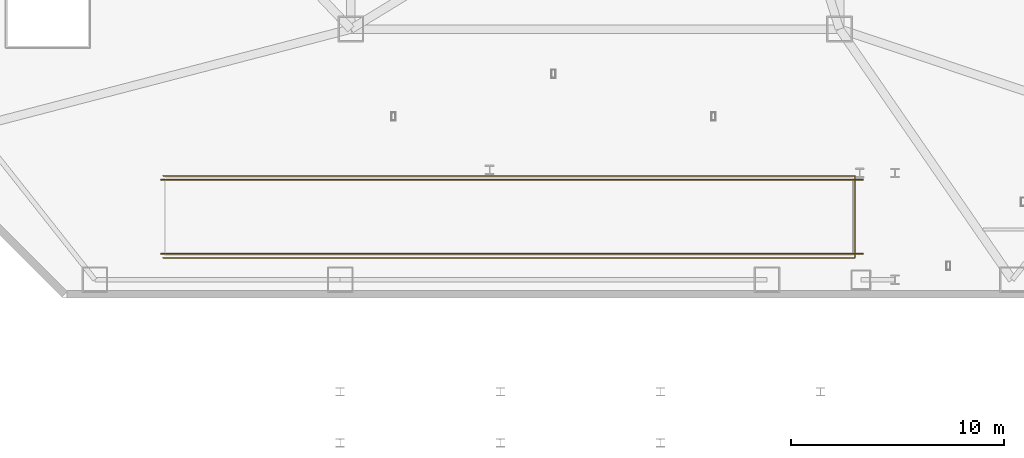
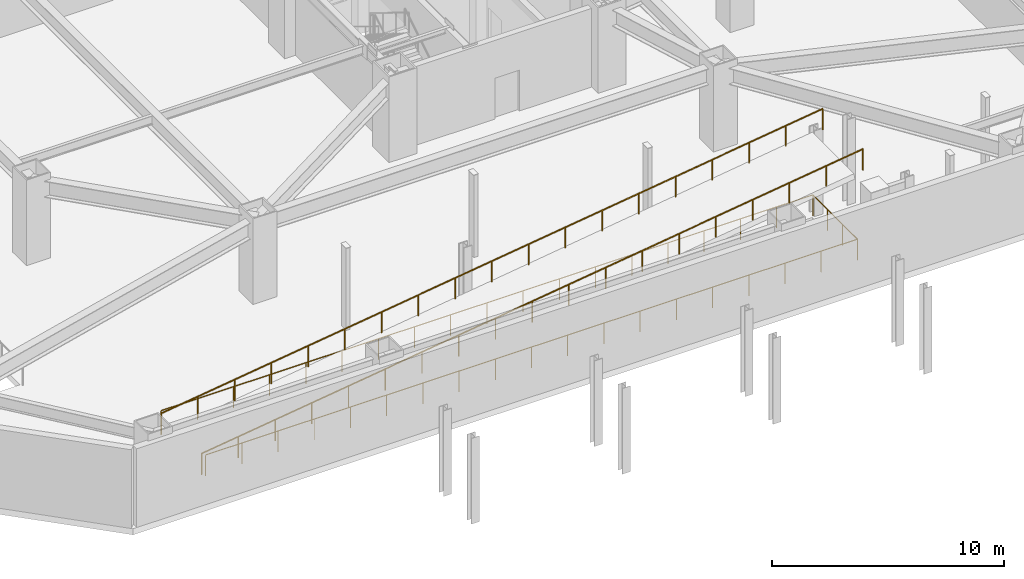
# One storey, part 11 of 14: 3 railings.
"""IFC4 building model written with IfcOpenShell, lengths in metres."""

from ifc_helpers import new_model, si_unit, direction, frame, origin, origin_2d, place, context, subcontext, project, spatial, circle, extrude, material, type_object, element, save


model = new_model("IFC4")

# Units and contexts
model_context = context("Model", 3, precision=1e-05, world=origin(), true_north=direction((0.0, 1.0)))
body_context = subcontext(model_context, "Body", "Model", "MODEL_VIEW")
ifc_project = project(units=[si_unit("LENGTHUNIT", "METRE"), si_unit("AREAUNIT", "SQUARE_METRE"), si_unit("VOLUMEUNIT", "CUBIC_METRE"), si_unit("PLANEANGLEUNIT", "RADIAN"), si_unit("MASSUNIT", "GRAM", prefix="KILO")], contexts=[model_context])

# Site, building, storey
site_placement = place(None, origin())
site = spatial("IfcSite", under=ifc_project, at=site_placement, CompositionType="ELEMENT")
building_placement = place(site_placement, origin())
building = spatial("IfcBuilding", under=site, at=building_placement, Name="Khamvora Tower", CompositionType="ELEMENT")
storey_placement = place(building_placement, frame((0.0, 0.0, -4.5)))
storey = spatial("IfcBuildingStorey", under=building, at=storey_placement, Name="B1", CompositionType="ELEMENT", Elevation=-4.5)

# Railings
ifc_material = material(Name="Stainless Steel 316", Category="steel")
railing_type = type_object("IfcRailingType", Name="RAL-VOID-1120", PredefinedType="GUARDRAIL", material=ifc_material)
railing_1_placement = place(storey_placement, frame((9.60009765625, 2.06005859375, 0.0)))
element("IfcRailing", 1, at=railing_1_placement, inside=storey, type_object=railing_type, Name="B1 grade exit vehicle ramp safety guardrail 1", PredefinedType="GUARDRAIL", context=body_context, shape_type="SweptSolid", body=[
    extrude(circle(Radius=0.02392578125, at=origin_2d()), frame((0.0, 0.0, 1.09619140625), z_axis=(0.990775055807, 0.0, 0.13551674727), x_axis=(0.0, 1.0, 0.0)), (0.0, 0.0, 1.0), 33.206298828125),
    extrude(circle(Radius=0.02099609375, at=origin_2d()), origin(), (0.0, 0.0, 1.0), 1.072021484375),
    extrude(circle(Radius=0.02099609375, at=origin_2d()), frame((1.827880859375, 0.0, 0.25)), (0.0, 0.0, 1.0), 1.072021484375),
    extrude(circle(Radius=0.02099609375, at=origin_2d()), frame((3.655517578125, 0.0, 0.5)), (0.0, 0.0, 1.0), 1.072021484375),
    extrude(circle(Radius=0.02099609375, at=origin_2d()), frame((5.4833984375, 0.0, 0.75)), (0.0, 0.0, 1.0), 1.072021484375),
    extrude(circle(Radius=0.02099609375, at=origin_2d()), frame((7.31103515625, 0.0, 1.0)), (0.0, 0.0, 1.0), 1.072021484375),
    extrude(circle(Radius=0.02099609375, at=origin_2d()), frame((9.138916015625, 0.0, 1.25)), (0.0, 0.0, 1.0), 1.072021484375),
    extrude(circle(Radius=0.02099609375, at=origin_2d()), frame((10.966552734375, 0.0, 1.5)), (0.0, 0.0, 1.0), 1.072021484375),
    extrude(circle(Radius=0.02099609375, at=origin_2d()), frame((12.79443359375, 0.0, 1.75)), (0.0, 0.0, 1.0), 1.072021484375),
    extrude(circle(Radius=0.02099609375, at=origin_2d()), frame((14.6220703125, 0.0, 2.0)), (0.0, 0.0, 1.0), 1.072021484375),
    extrude(circle(Radius=0.02099609375, at=origin_2d()), frame((16.449951171875, 0.0, 2.25)), (0.0, 0.0, 1.0), 1.072021484375),
    extrude(circle(Radius=0.02099609375, at=origin_2d()), frame((18.27783203125, 0.0, 2.5)), (0.0, 0.0, 1.0), 1.072021484375),
    extrude(circle(Radius=0.02099609375, at=origin_2d()), frame((20.10546875, 0.0, 2.75)), (0.0, 0.0, 1.0), 1.072021484375),
    extrude(circle(Radius=0.02099609375, at=origin_2d()), frame((21.933349609375, 0.0, 3.0)), (0.0, 0.0, 1.0), 1.072021484375),
    extrude(circle(Radius=0.02099609375, at=origin_2d()), frame((23.760986328125, 0.0, 3.25)), (0.0, 0.0, 1.0), 1.072021484375),
    extrude(circle(Radius=0.02099609375, at=origin_2d()), frame((25.5888671875, 0.0, 3.5)), (0.0, 0.0, 1.0), 1.072021484375),
    extrude(circle(Radius=0.02099609375, at=origin_2d()), frame((27.41650390625, 0.0, 3.75)), (0.0, 0.0, 1.0), 1.072021484375),
    extrude(circle(Radius=0.02099609375, at=origin_2d()), frame((29.244384765625, 0.0, 4.0)), (0.0, 0.0, 1.0), 1.072021484375),
    extrude(circle(Radius=0.02099609375, at=origin_2d()), frame((31.072021484375, 0.0, 4.25)), (0.0, 0.0, 1.0), 1.072021484375),
    extrude(circle(Radius=0.02099609375, at=origin_2d()), frame((32.89990234375, 0.0, 4.5)), (0.0, 0.0, 1.0), 1.072021484375),
])
railing_2_placement = place(storey_placement, frame((9.60009765625, 5.5400390625, 0.0)))
element("IfcRailing", 2, at=railing_2_placement, inside=storey, type_object=railing_type, Name="B1 grade exit vehicle ramp safety guardrail 2", PredefinedType="GUARDRAIL", context=body_context, shape_type="SweptSolid", body=[
    extrude(circle(Radius=0.02392578125, at=origin_2d()), frame((0.0, 0.0, 1.09619140625), z_axis=(0.990775055807, 0.0, 0.13551674727), x_axis=(0.0, 1.0, 0.0)), (0.0, 0.0, 1.0), 33.206298828125),
    extrude(circle(Radius=0.02099609375, at=origin_2d()), origin(), (0.0, 0.0, 1.0), 1.072021484375),
    extrude(circle(Radius=0.02099609375, at=origin_2d()), frame((1.827880859375, 0.0, 0.25)), (0.0, 0.0, 1.0), 1.072021484375),
    extrude(circle(Radius=0.02099609375, at=origin_2d()), frame((3.655517578125, 0.0, 0.5)), (0.0, 0.0, 1.0), 1.072021484375),
    extrude(circle(Radius=0.02099609375, at=origin_2d()), frame((5.4833984375, 0.0, 0.75)), (0.0, 0.0, 1.0), 1.072021484375),
    extrude(circle(Radius=0.02099609375, at=origin_2d()), frame((7.31103515625, 0.0, 1.0)), (0.0, 0.0, 1.0), 1.072021484375),
    extrude(circle(Radius=0.02099609375, at=origin_2d()), frame((9.138916015625, 0.0, 1.25)), (0.0, 0.0, 1.0), 1.072021484375),
    extrude(circle(Radius=0.02099609375, at=origin_2d()), frame((10.966552734375, 0.0, 1.5)), (0.0, 0.0, 1.0), 1.072021484375),
    extrude(circle(Radius=0.02099609375, at=origin_2d()), frame((12.79443359375, 0.0, 1.75)), (0.0, 0.0, 1.0), 1.072021484375),
    extrude(circle(Radius=0.02099609375, at=origin_2d()), frame((14.6220703125, 0.0, 2.0)), (0.0, 0.0, 1.0), 1.072021484375),
    extrude(circle(Radius=0.02099609375, at=origin_2d()), frame((16.449951171875, 0.0, 2.25)), (0.0, 0.0, 1.0), 1.072021484375),
    extrude(circle(Radius=0.02099609375, at=origin_2d()), frame((18.27783203125, 0.0, 2.5)), (0.0, 0.0, 1.0), 1.072021484375),
    extrude(circle(Radius=0.02099609375, at=origin_2d()), frame((20.10546875, 0.0, 2.75)), (0.0, 0.0, 1.0), 1.072021484375),
    extrude(circle(Radius=0.02099609375, at=origin_2d()), frame((21.933349609375, 0.0, 3.0)), (0.0, 0.0, 1.0), 1.072021484375),
    extrude(circle(Radius=0.02099609375, at=origin_2d()), frame((23.760986328125, 0.0, 3.25)), (0.0, 0.0, 1.0), 1.072021484375),
    extrude(circle(Radius=0.02099609375, at=origin_2d()), frame((25.5888671875, 0.0, 3.5)), (0.0, 0.0, 1.0), 1.072021484375),
    extrude(circle(Radius=0.02099609375, at=origin_2d()), frame((27.41650390625, 0.0, 3.75)), (0.0, 0.0, 1.0), 1.072021484375),
    extrude(circle(Radius=0.02099609375, at=origin_2d()), frame((29.244384765625, 0.0, 4.0)), (0.0, 0.0, 1.0), 1.072021484375),
    extrude(circle(Radius=0.02099609375, at=origin_2d()), frame((31.072021484375, 0.0, 4.25)), (0.0, 0.0, 1.0), 1.072021484375),
    extrude(circle(Radius=0.02099609375, at=origin_2d()), frame((32.89990234375, 0.0, 4.5)), (0.0, 0.0, 1.0), 1.072021484375),
])
railing_3_placement = place(storey_placement, frame((9.699951171875, 1.8798828125, 0.0)))
element("IfcRailing", 3, at=railing_3_placement, inside=storey, type_object=railing_type, Name="B1 grade exit ramp deck perimeter safety guardrail", PredefinedType="GUARDRAIL", context=body_context, shape_type="SweptSolid", body=[
    extrude(circle(Radius=0.02392578125, at=origin_2d()), frame((0.0, 0.0, 1.09619140625), z_axis=(1.0, 0.0, 0.0), x_axis=(0.0, 1.0, 0.0)), (0.0, 0.0, 1.0), 32.420166015625),
    extrude(circle(Radius=0.02392578125, at=origin_2d()), frame((32.420166015625, 0.0, 1.09619140625), z_axis=(0.0, 1.0, 0.0), x_axis=(-1.0, 0.0, 0.0)), (0.0, 0.0, 1.0), 3.840087890625),
    extrude(circle(Radius=0.02392578125, at=origin_2d()), frame((32.420166015625, 3.840087890625, 1.09619140625), z_axis=(-1.0, 0.0, 0.0), x_axis=(0.0, -1.0, 0.0)), (0.0, 0.0, 1.0), 32.420166015625),
    extrude(circle(Radius=0.02099609375, at=origin_2d()), origin(), (0.0, 0.0, 1.0), 1.072021484375),
    extrude(circle(Radius=0.02099609375, at=origin_2d()), frame((1.801025390625, 0.0, 0.0)), (0.0, 0.0, 1.0), 1.072021484375),
    extrude(circle(Radius=0.02099609375, at=origin_2d()), frame((3.602294921875, 0.0, 0.0)), (0.0, 0.0, 1.0), 1.072021484375),
    extrude(circle(Radius=0.02099609375, at=origin_2d()), frame((5.4033203125, 0.0, 0.0)), (0.0, 0.0, 1.0), 1.072021484375),
    extrude(circle(Radius=0.02099609375, at=origin_2d()), frame((7.20458984375, 0.0, 0.0)), (0.0, 0.0, 1.0), 1.072021484375),
    extrude(circle(Radius=0.02099609375, at=origin_2d()), frame((9.005615234375, 0.0, 0.0)), (0.0, 0.0, 1.0), 1.072021484375),
    extrude(circle(Radius=0.02099609375, at=origin_2d()), frame((10.806640625, 0.0, 0.0)), (0.0, 0.0, 1.0), 1.072021484375),
    extrude(circle(Radius=0.02099609375, at=origin_2d()), frame((12.60791015625, 0.0, 0.0)), (0.0, 0.0, 1.0), 1.072021484375),
    extrude(circle(Radius=0.02099609375, at=origin_2d()), frame((14.408935546875, 0.0, 0.0)), (0.0, 0.0, 1.0), 1.072021484375),
    extrude(circle(Radius=0.02099609375, at=origin_2d()), frame((16.2099609375, 0.0, 0.0)), (0.0, 0.0, 1.0), 1.072021484375),
    extrude(circle(Radius=0.02099609375, at=origin_2d()), frame((18.01123046875, 0.0, 0.0)), (0.0, 0.0, 1.0), 1.072021484375),
    extrude(circle(Radius=0.02099609375, at=origin_2d()), frame((19.812255859375, 0.0, 0.0)), (0.0, 0.0, 1.0), 1.072021484375),
    extrude(circle(Radius=0.02099609375, at=origin_2d()), frame((21.613525390625, 0.0, 0.0)), (0.0, 0.0, 1.0), 1.072021484375),
    extrude(circle(Radius=0.02099609375, at=origin_2d()), frame((23.41455078125, 0.0, 0.0)), (0.0, 0.0, 1.0), 1.072021484375),
    extrude(circle(Radius=0.02099609375, at=origin_2d()), frame((25.215576171875, 0.0, 0.0)), (0.0, 0.0, 1.0), 1.072021484375),
    extrude(circle(Radius=0.02099609375, at=origin_2d()), frame((27.016845703125, 0.0, 0.0)), (0.0, 0.0, 1.0), 1.072021484375),
    extrude(circle(Radius=0.02099609375, at=origin_2d()), frame((28.81787109375, 0.0, 0.0)), (0.0, 0.0, 1.0), 1.072021484375),
    extrude(circle(Radius=0.02099609375, at=origin_2d()), frame((30.619140625, 0.0, 0.0)), (0.0, 0.0, 1.0), 1.072021484375),
    extrude(circle(Radius=0.02099609375, at=origin_2d()), frame((32.420166015625, 0.0, 0.0)), (0.0, 0.0, 1.0), 1.072021484375),
    extrude(circle(Radius=0.02099609375, at=origin_2d()), frame((32.420166015625, 1.280029296875, 0.0)), (0.0, 0.0, 1.0), 1.072021484375),
    extrude(circle(Radius=0.02099609375, at=origin_2d()), frame((32.420166015625, 2.56005859375, 0.0)), (0.0, 0.0, 1.0), 1.072021484375),
    extrude(circle(Radius=0.02099609375, at=origin_2d()), frame((32.420166015625, 3.840087890625, 0.0)), (0.0, 0.0, 1.0), 1.072021484375),
    extrude(circle(Radius=0.02099609375, at=origin_2d()), frame((30.619140625, 3.840087890625, 0.0)), (0.0, 0.0, 1.0), 1.072021484375),
    extrude(circle(Radius=0.02099609375, at=origin_2d()), frame((28.81787109375, 3.840087890625, 0.0)), (0.0, 0.0, 1.0), 1.072021484375),
    extrude(circle(Radius=0.02099609375, at=origin_2d()), frame((27.016845703125, 3.840087890625, 0.0)), (0.0, 0.0, 1.0), 1.072021484375),
    extrude(circle(Radius=0.02099609375, at=origin_2d()), frame((25.215576171875, 3.840087890625, 0.0)), (0.0, 0.0, 1.0), 1.072021484375),
    extrude(circle(Radius=0.02099609375, at=origin_2d()), frame((23.41455078125, 3.840087890625, 0.0)), (0.0, 0.0, 1.0), 1.072021484375),
    extrude(circle(Radius=0.02099609375, at=origin_2d()), frame((21.613525390625, 3.840087890625, 0.0)), (0.0, 0.0, 1.0), 1.072021484375),
    extrude(circle(Radius=0.02099609375, at=origin_2d()), frame((19.812255859375, 3.840087890625, 0.0)), (0.0, 0.0, 1.0), 1.072021484375),
    extrude(circle(Radius=0.02099609375, at=origin_2d()), frame((18.01123046875, 3.840087890625, 0.0)), (0.0, 0.0, 1.0), 1.072021484375),
    extrude(circle(Radius=0.02099609375, at=origin_2d()), frame((16.2099609375, 3.840087890625, 0.0)), (0.0, 0.0, 1.0), 1.072021484375),
    extrude(circle(Radius=0.02099609375, at=origin_2d()), frame((14.408935546875, 3.840087890625, 0.0)), (0.0, 0.0, 1.0), 1.072021484375),
    extrude(circle(Radius=0.02099609375, at=origin_2d()), frame((12.60791015625, 3.840087890625, 0.0)), (0.0, 0.0, 1.0), 1.072021484375),
    extrude(circle(Radius=0.02099609375, at=origin_2d()), frame((10.806640625, 3.840087890625, 0.0)), (0.0, 0.0, 1.0), 1.072021484375),
    extrude(circle(Radius=0.02099609375, at=origin_2d()), frame((9.005615234375, 3.840087890625, 0.0)), (0.0, 0.0, 1.0), 1.072021484375),
    extrude(circle(Radius=0.02099609375, at=origin_2d()), frame((7.20458984375, 3.840087890625, 0.0)), (0.0, 0.0, 1.0), 1.072021484375),
    extrude(circle(Radius=0.02099609375, at=origin_2d()), frame((5.4033203125, 3.840087890625, 0.0)), (0.0, 0.0, 1.0), 1.072021484375),
    extrude(circle(Radius=0.02099609375, at=origin_2d()), frame((3.602294921875, 3.840087890625, 0.0)), (0.0, 0.0, 1.0), 1.072021484375),
    extrude(circle(Radius=0.02099609375, at=origin_2d()), frame((1.801025390625, 3.840087890625, 0.0)), (0.0, 0.0, 1.0), 1.072021484375),
    extrude(circle(Radius=0.02099609375, at=origin_2d()), frame((0.0, 3.840087890625, 0.0)), (0.0, 0.0, 1.0), 1.072021484375),
])

save(model, "model.ifc")
